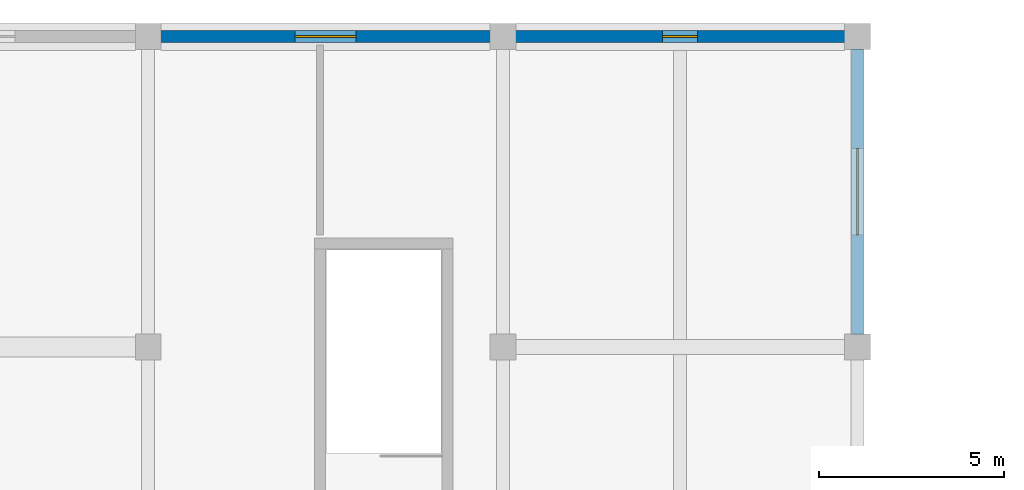
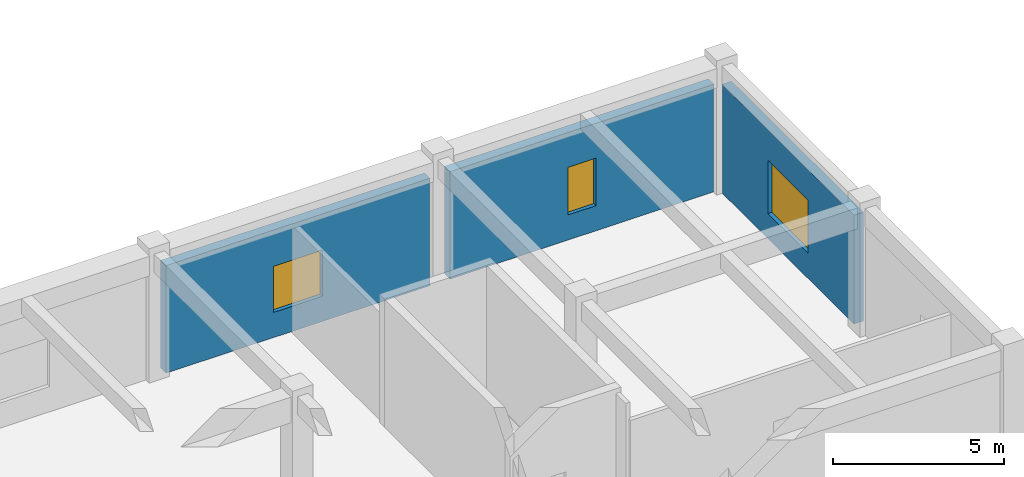
# One storey, part 54 of 68: 3 walls, 3 windows, 3 openings.
"""IFC4 building model written with IfcOpenShell, lengths in metres."""

from ifc_helpers import new_model, si_unit, direction, frame, frame_2d, origin, place, context, subcontext, project, spatial, rectangle, extrude, material, layer, layer_set, type_object, element, fill, save


model = new_model("IFC4")

# Units and contexts
model_context = context("Model", 3, precision=1e-05, world=origin(), true_north=direction((0.0, 1.0)))
body_context = subcontext(model_context, "Body", "Model", "MODEL_VIEW")
ifc_project = project(units=[si_unit("LENGTHUNIT", "METRE"), si_unit("AREAUNIT", "SQUARE_METRE"), si_unit("VOLUMEUNIT", "CUBIC_METRE"), si_unit("PLANEANGLEUNIT", "RADIAN"), si_unit("MASSUNIT", "GRAM", prefix="KILO")], contexts=[model_context])

# Site, building, storey
site_placement = place(None, origin())
site = spatial("IfcSite", under=ifc_project, at=site_placement, CompositionType="ELEMENT")
building_placement = place(site_placement, origin())
building = spatial("IfcBuilding", under=site, at=building_placement, Name="Miralva Faculty of Natural Sciences", CompositionType="ELEMENT")
storey_placement = place(building_placement, frame((0.0, 0.0, 5.39990234375)))
storey = spatial("IfcBuildingStorey", under=building, at=storey_placement, Name="L01", CompositionType="ELEMENT", Elevation=5.39990234375)

# Wall, opening, window
ifc_material_1 = material(Name="Precast concrete C40/50", Category="concrete")
ifc_layer = layer(ifc_material_1, 0.320068359375, Name="WL-WT02")
ifc_layer_set = layer_set([ifc_layer], Name="Precast concrete C40/50")
wall_type = type_object("IfcWallType", Name="WL-WT02", PredefinedType="SOLIDWALL", material=ifc_layer_set)
wall_1_placement = place(storey_placement, frame((65.735107421875, 117.0, 0.0), z_axis=(0.0, 0.0, 1.0), x_axis=(1.0, 0.0, 0.0)))
wall_1 = element("IfcWall", 1, at=wall_1_placement, inside=storey, type_object=wall_type, Name="Exterior wall L01-206", PredefinedType="SOLIDWALL", context=body_context, shape_type="SweptSolid", body=[
    extrude(rectangle(XDim=8.929931640625, YDim=0.320068359375, at=frame_2d((4.46484375, 0.0))), origin(), (0.0, 0.0, 1.0), 3.84521484375),
])
opening_1_placement = place(wall_1_placement, frame((3.639892578125, 0.0, 0.89990234375)))
opening_1 = element("IfcOpeningElement", 2, at=opening_1_placement, cuts=wall_1, Name="Opening W-18", PredefinedType="OPENING", context=body_context, shape_type="SweptSolid", body=[
    extrude(rectangle(XDim=1.64990234375, YDim=1.64990234375, at=frame_2d((0.824951171875, 0.824951171875))), frame((0.0, 0.169921875, 0.0), z_axis=(0.0, -1.0, 0.0), x_axis=(1.0, 0.0, 0.0)), (0.0, 0.0, 1.0), 0.340087890625),
])
ifc_material_2 = material(Name="Laminated solar-control glass", Category="glass")
window_type_1 = type_object("IfcWindowType", Name="WN-W18", PartitioningType="SINGLE_PANEL", PredefinedType="WINDOW", material=ifc_material_2)
window_1_placement = place(opening_1_placement, origin())
window_1 = element("IfcWindow", 3, at=window_1_placement, inside=storey, type_object=window_type_1, Name="Window W-18 L01-143", OverallHeight=1.64990234375, OverallWidth=1.64990234375, PartitioningType="SINGLE_PANEL", PredefinedType="WINDOW", context=body_context, shape_type="SweptSolid", body=[
    extrude(rectangle(XDim=1.64990234375, YDim=1.64990234375, at=frame_2d((0.824951171875, 0.824951171875))), frame((0.0, 0.030029296875, 0.0), z_axis=(0.0, -1.0, 0.0), x_axis=(1.0, 0.0, 0.0)), (0.0, 0.0, 1.0), 0.06005859375),
])
fill(opening_1, window_1)

wall_2_placement = place(storey_placement, frame((75.3349609375, 117.0, 0.0), z_axis=(0.0, 0.0, 1.0), x_axis=(1.0, 0.0, 0.0)))
wall_2 = element("IfcWall", 4, at=wall_2_placement, inside=storey, type_object=wall_type, Name="Exterior wall L01-208", PredefinedType="SOLIDWALL", context=body_context, shape_type="SweptSolid", body=[
    extrude(rectangle(XDim=8.929931640625, YDim=0.320068359375, at=frame_2d((4.46484375, 0.0))), origin(), (0.0, 0.0, 1.0), 3.84521484375),
])
opening_2_placement = place(wall_2_placement, frame((3.989990234375, 0.0, 0.89990234375)))
opening_2 = element("IfcOpeningElement", 5, at=opening_2_placement, cuts=wall_2, Name="Opening W-21", PredefinedType="OPENING", context=body_context, shape_type="SweptSolid", body=[
    extrude(rectangle(XDim=0.949951171875, YDim=1.699951171875, at=frame_2d((0.47509765625, 0.85009765625))), frame((0.0, 0.169921875, 0.0), z_axis=(0.0, -1.0, 0.0), x_axis=(1.0, 0.0, 0.0)), (0.0, 0.0, 1.0), 0.340087890625),
])
window_type_2 = type_object("IfcWindowType", Name="WN-W21", PartitioningType="DOUBLE_PANEL_VERTICAL", PredefinedType="WINDOW", material=ifc_material_2)
window_2_placement = place(opening_2_placement, origin())
window_2 = element("IfcWindow", 6, at=window_2_placement, inside=storey, type_object=window_type_2, Name="Window W-21 L01-145", OverallHeight=1.699951171875, OverallWidth=0.949951171875, PartitioningType="DOUBLE_PANEL_VERTICAL", PredefinedType="WINDOW", context=body_context, shape_type="SweptSolid", body=[
    extrude(rectangle(XDim=0.949951171875, YDim=1.699951171875, at=frame_2d((0.47509765625, 0.85009765625))), frame((0.0, 0.030029296875, 0.0), z_axis=(0.0, -1.0, 0.0), x_axis=(1.0, 0.0, 0.0)), (0.0, 0.0, 1.0), 0.06005859375),
])
fill(opening_2, window_2)

wall_3_placement = place(storey_placement, frame((84.60009765625, 108.93505859375, 0.0), z_axis=(0.0, 0.0, 1.0), x_axis=(0.0, 1.0, 0.0)))
wall_3 = element("IfcWall", 7, at=wall_3_placement, inside=storey, type_object=wall_type, Name="Exterior wall L01-211", PredefinedType="SOLIDWALL", context=body_context, shape_type="SweptSolid", body=[
    extrude(rectangle(XDim=7.72998046875, YDim=0.320068359375, at=frame_2d((3.864990234375, 0.0))), origin(), (0.0, 0.0, 1.0), 3.89501953125),
])
opening_3_placement = place(wall_3_placement, frame((2.68994140625, 0.0, 0.89990234375)))
opening_3 = element("IfcOpeningElement", 8, at=opening_3_placement, cuts=wall_3, Name="Opening W-30", PredefinedType="OPENING", context=body_context, shape_type="SweptSolid", body=[
    extrude(rectangle(XDim=2.35009765625, YDim=1.89990234375, at=frame_2d((1.175048828125, 0.949951171875))), frame((0.0, 0.169921875, 0.0), z_axis=(0.0, -1.0, 0.0), x_axis=(1.0, 0.0, 0.0)), (0.0, 0.0, 1.0), 0.340087890625),
])
window_type_3 = type_object("IfcWindowType", Name="WN-W30", PartitioningType="DOUBLE_PANEL_VERTICAL", PredefinedType="WINDOW", material=ifc_material_2)
window_3_placement = place(opening_3_placement, frame((2.35009765625, 0.0, 0.0), z_axis=(0.0, 0.0, 1.0), x_axis=(-1.0, 0.0, 0.0)))
window_3 = element("IfcWindow", 9, at=window_3_placement, inside=storey, type_object=window_type_3, Name="Window W-30 L01-148", OverallHeight=1.89990234375, OverallWidth=2.35009765625, PartitioningType="DOUBLE_PANEL_VERTICAL", PredefinedType="WINDOW", context=body_context, shape_type="SweptSolid", body=[
    extrude(rectangle(XDim=2.35009765625, YDim=1.89990234375, at=frame_2d((1.175048828125, 0.949951171875))), frame((0.0, 0.030029296875, 0.0), z_axis=(0.0, -1.0, 0.0), x_axis=(1.0, 0.0, 0.0)), (0.0, 0.0, 1.0), 0.06005859375),
])
fill(opening_3, window_3)

save(model, "model.ifc")
